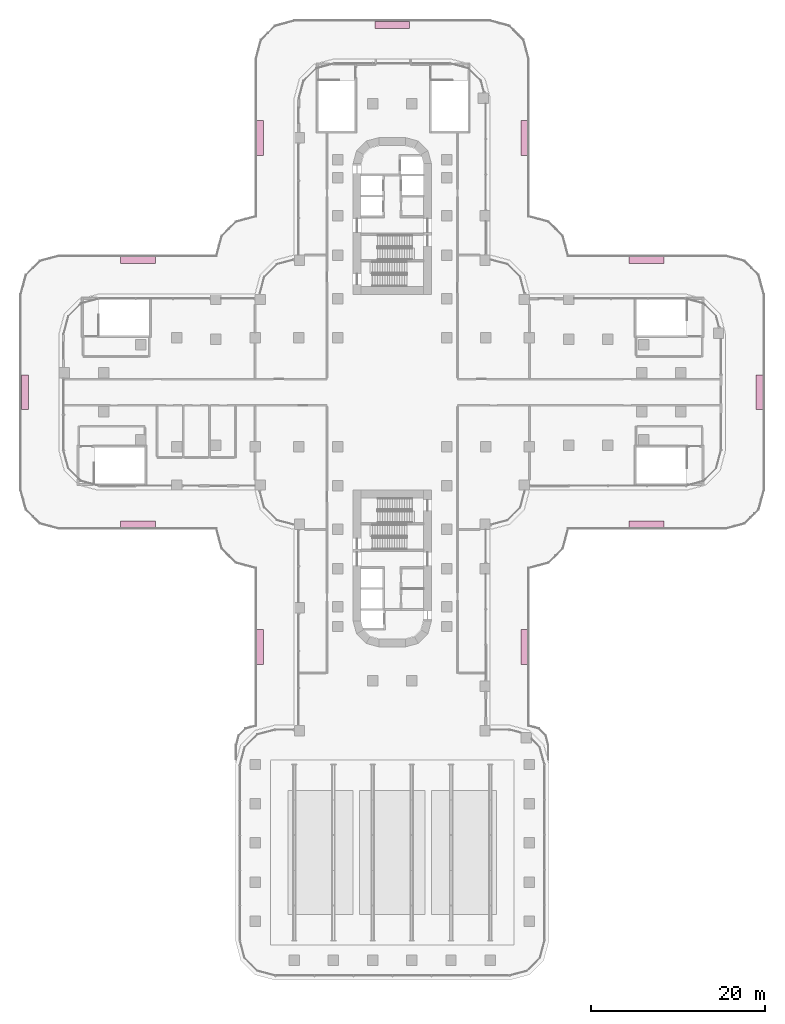
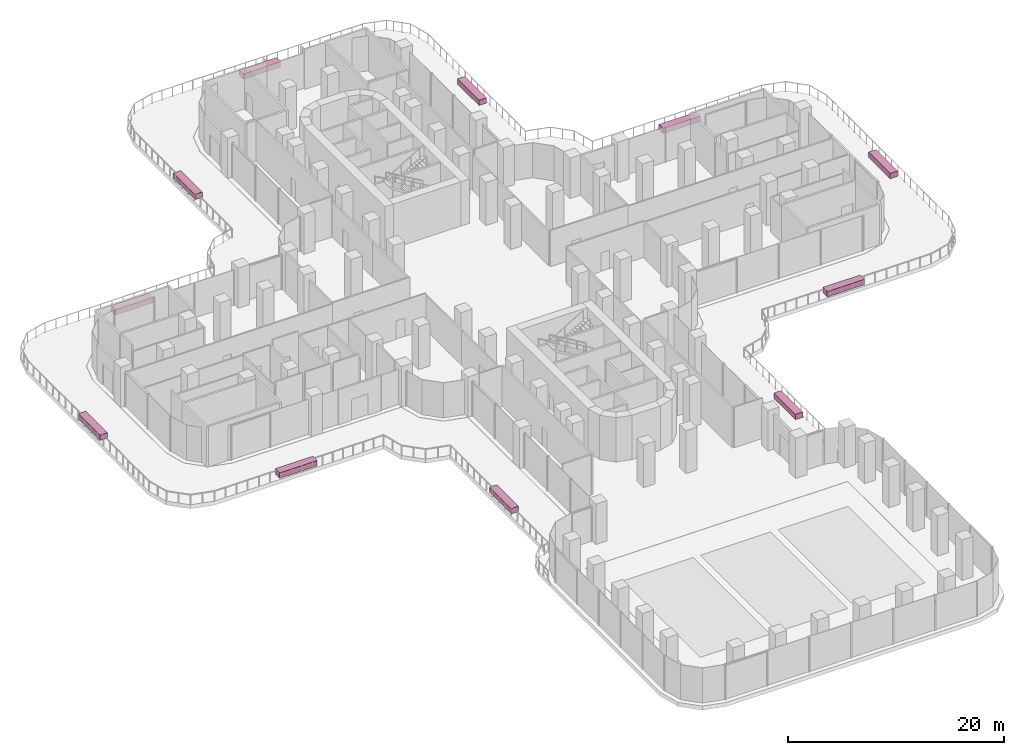
# One storey, part 21 of 21: 11 furniture elements.
"""IFC4 building model written with IfcOpenShell, lengths in metres."""

from ifc_helpers import new_model, si_unit, direction, frame, origin, origin_2d, place, context, subcontext, project, spatial, rectangle, extrude, material, type_object, element, save


model = new_model("IFC4")

# Units and contexts
model_context = context("Model", 3, precision=1e-05, world=origin(), true_north=direction((0.0, 1.0)))
body_context = subcontext(model_context, "Body", "Model", "MODEL_VIEW")
ifc_project = project(units=[si_unit("LENGTHUNIT", "METRE"), si_unit("AREAUNIT", "SQUARE_METRE"), si_unit("VOLUMEUNIT", "CUBIC_METRE"), si_unit("PLANEANGLEUNIT", "RADIAN"), si_unit("MASSUNIT", "GRAM", prefix="KILO")], contexts=[model_context])

# Site, building, storey
site_placement = place(None, origin())
site = spatial("IfcSite", under=ifc_project, at=site_placement, CompositionType="ELEMENT")
building_placement = place(site_placement, origin())
building = spatial("IfcBuilding", under=site, at=building_placement, Name="Zarbagh Exchange Tower", CompositionType="ELEMENT")
storey_placement = place(building_placement, frame((0.0, 0.0, 22.0)))
storey = spatial("IfcBuildingStorey", under=building, at=storey_placement, Name="L04", CompositionType="ELEMENT", Elevation=22.0)

# Furniture
ifc_material = material(Name="Concrete C40/50", Category="concrete")
furniture_type = type_object("IfcFurnitureType", Name="PLANTER planting bed, concrete trough", AssemblyPlace="NOTDEFINED", PredefinedType="USERDEFINED", material=ifc_material)
for number, where, z_axis, x_axis, name in (
    (1, (-15.169921875, -29.25, 0.0), (0.0, 0.0, 1.0), (-5.2e-11, 1.0, 0.0), "planter"),
    (2, (-29.214111328125, -15.169921875, 0.0), (0.0, 0.0, 1.0), (-1.0, 0.0, 0.0), "planter"),
    (3, (-42.169921875, 0.0, 0.0), (0.0, 0.0, 1.0), (0.0, 1.0, 0.0), "planter"),
    (4, (-29.214111328125, 15.169921875, 0.0), (0.0, 0.0, 1.0), (1.0, 0.0, 0.0), "planter"),
    (5, (-15.169921875, 29.214111328125, 0.0), (0.0, 0.0, 1.0), (0.0, 1.0, 0.0), "planter"),
    (6, (0.0, 42.169921875, 0.0), (0.0, 0.0, 1.0), (1.0, 0.0, 0.0), "planter"),
    (7, (15.169921875, 29.214111328125, 0.0), (0.0, 0.0, 1.0), (0.0, -1.0, 0.0), "planter"),
    (8, (29.214111328125, 15.169921875, 0.0), (0.0, 0.0, 1.0), (1.0, 0.0, 0.0), "planter"),
    (9, (42.169921875, 0.0, 0.0), (0.0, 0.0, 1.0), (0.0, -1.0, 0.0), "planter"),
    (10, (29.214111328125, -15.169921875, 0.0), (0.0, 0.0, 1.0), (-1.0, 0.0, 0.0), "planter"),
    (11, (15.169921875, -29.25, 0.0), (0.0, 0.0, 1.0), (-5.2e-11, -1.0, 0.0), "planter"),
):
    element("IfcFurniture", number, at=place(storey_placement, frame(where, z_axis=z_axis, x_axis=x_axis)), inside=storey, type_object=furniture_type, Name=name, ObjectType="PLANTER", PredefinedType="USERDEFINED", context=body_context, shape_type="SweptSolid", body=[
        extrude(rectangle(XDim=4.0, YDim=0.800048828125, at=origin_2d()), origin(), (0.0, 0.0, 1.0), 0.60009765625),
    ])

save(model, "model.ifc")
